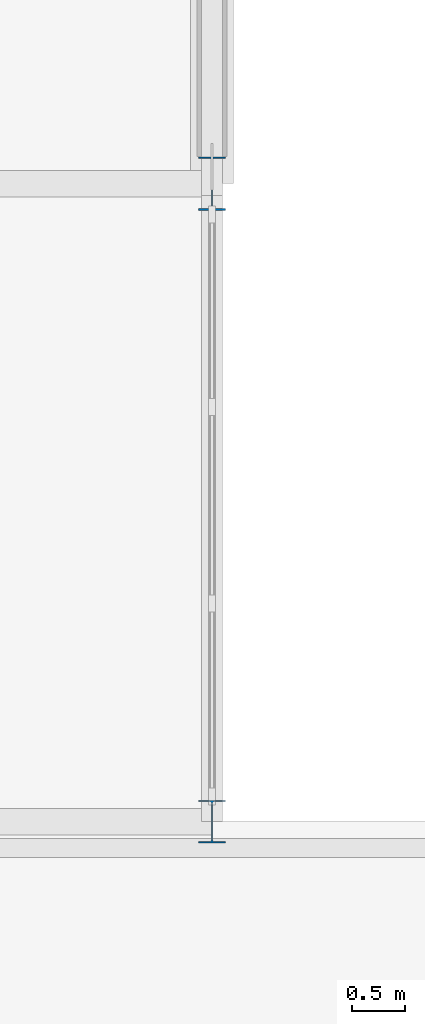
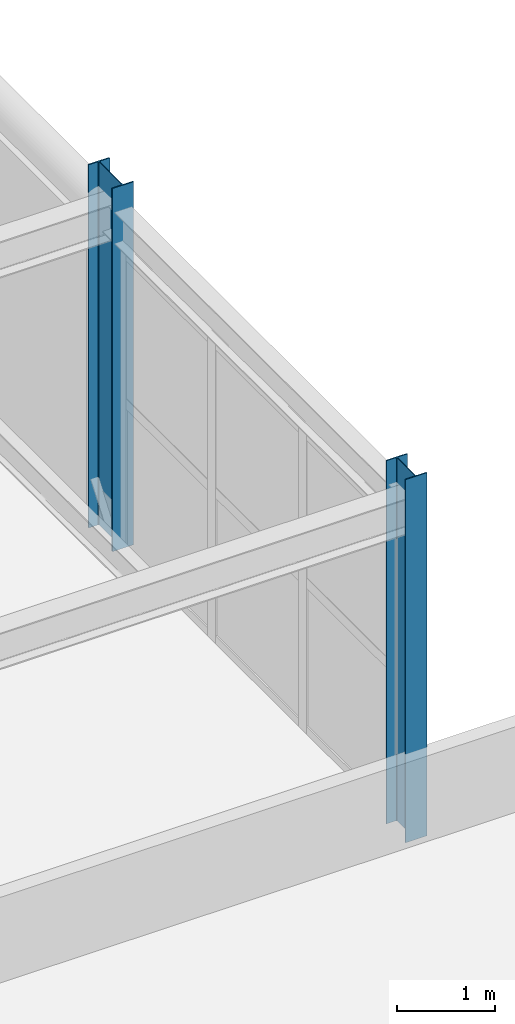
# One storey, part 2 of 84: 2 columns.
"""IFC4 building model written with IfcOpenShell, lengths in metres."""

from ifc_helpers import new_model, si_unit, direction, frame, origin, origin_2d, place, context, subcontext, project, spatial, i_section, extrude, material, material_profile, profile_set, type_object, element, save


model = new_model("IFC4")

# Units and contexts
model_context = context("Model", 3, precision=1e-05, world=origin(), true_north=direction((0.0, 1.0)))
body_context = subcontext(model_context, "Body", "Model", "MODEL_VIEW")
ifc_project = project(units=[si_unit("LENGTHUNIT", "METRE"), si_unit("AREAUNIT", "SQUARE_METRE"), si_unit("VOLUMEUNIT", "CUBIC_METRE"), si_unit("PLANEANGLEUNIT", "RADIAN"), si_unit("MASSUNIT", "GRAM", prefix="KILO")], contexts=[model_context])

# Site, building, storey
site_placement = place(None, origin())
site = spatial("IfcSite", under=ifc_project, at=site_placement, CompositionType="ELEMENT")
building_placement = place(site_placement, origin())
building = spatial("IfcBuilding", under=site, at=building_placement, Name="Varnakota Square Police Headquarters", CompositionType="ELEMENT")
storey_placement = place(building_placement, frame((0.0, 0.0, 13.5)))
storey = spatial("IfcBuildingStorey", under=building, at=storey_placement, Name="L03", CompositionType="ELEMENT", Elevation=13.5)

# Columns
ifc_material = material(Name="Steel IS 2062 Grade 350", Category="steel")
ifc_material_profile_1 = material_profile(ifc_material, i_section(OverallWidth=0.25, OverallDepth=0.39990234375, WebThickness=0.010498046875, FlangeThickness=0.0126953125, FilletRadius=0.013916015625, at=origin_2d()), Name="ISHB 400")
ifc_profile_set_1 = profile_set([ifc_material_profile_1], Name="Steel IS 2062 Grade 350")
column_type_1 = type_object("IfcColumnType", Name="COL-ISHB400", PredefinedType="COLUMN", material=ifc_profile_set_1)
column_1_placement = place(storey_placement, frame((42.0, 21.0, 0.0), z_axis=(0.0, 0.0, 1.0), x_axis=(1.0, 0.0, 0.0)))
element("IfcColumn", 1, at=column_1_placement, inside=storey, type_object=column_type_1, Name="Column X0420-Y0210 L03", PredefinedType="COLUMN", context=body_context, shape_type="SweptSolid", body=[
    extrude(i_section(OverallWidth=0.25, OverallDepth=0.39990234375, WebThickness=0.010498046875, FlangeThickness=0.0126953125, FilletRadius=0.013916015625, at=origin_2d()), origin(), (0.0, 0.0, 1.0), 4.5),
])
ifc_material_profile_2 = material_profile(ifc_material, i_section(OverallWidth=0.25, OverallDepth=0.5, WebThickness=0.010009765625, FlangeThickness=0.0146484375, FilletRadius=0.014892578125, at=origin_2d()), Name="ISWB 500")
ifc_profile_set_2 = profile_set([ifc_material_profile_2], Name="Steel IS 2062 Grade 350")
column_type_2 = type_object("IfcColumnType", Name="COL-ISWB500", PredefinedType="COLUMN", material=ifc_profile_set_2)
column_2_placement = place(storey_placement, frame((42.0, 27.0, 0.0), z_axis=(0.0, 0.0, 1.0), x_axis=(1.0, 0.0, 0.0)))
element("IfcColumn", 2, at=column_2_placement, inside=storey, type_object=column_type_2, Name="Column X0420-Y0270 L03", PredefinedType="COLUMN", context=body_context, shape_type="SweptSolid", body=[
    extrude(i_section(OverallWidth=0.25, OverallDepth=0.5, WebThickness=0.010009765625, FlangeThickness=0.0146484375, FilletRadius=0.014892578125, at=origin_2d()), origin(), (0.0, 0.0, 1.0), 4.5),
])

save(model, "model.ifc")
